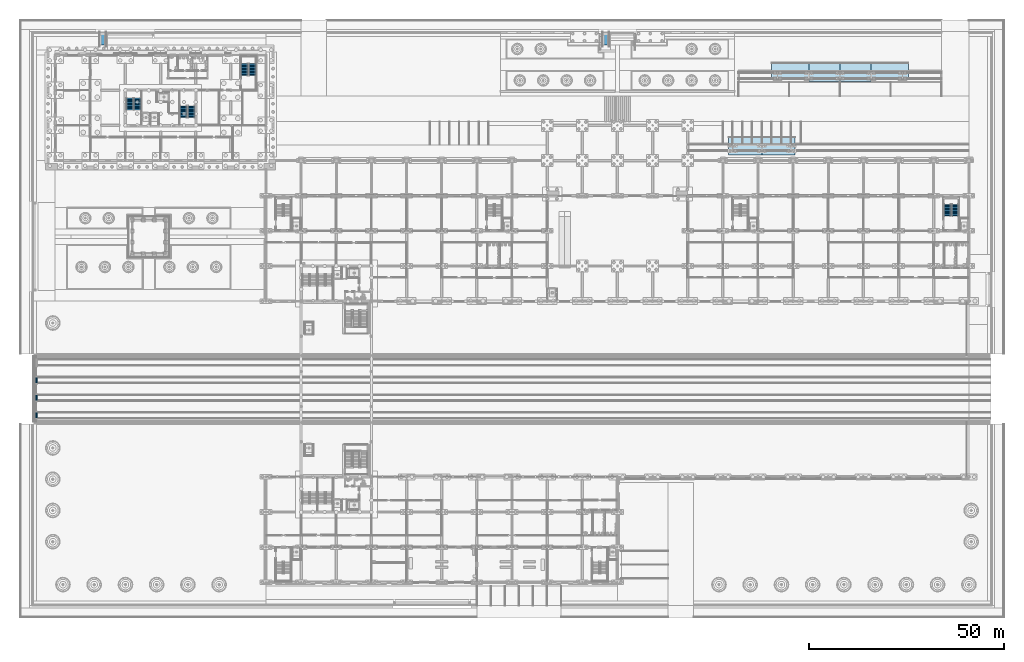
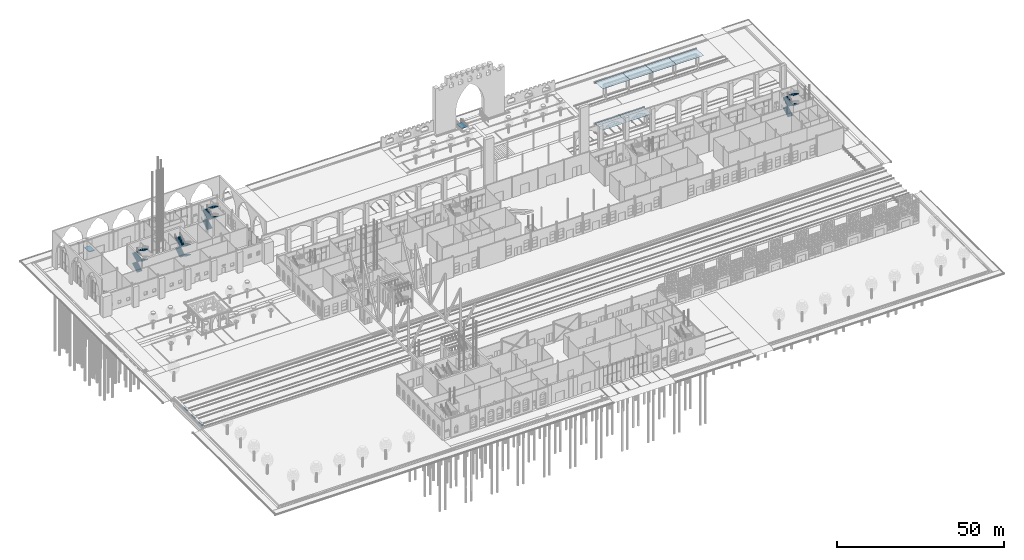
# One storey, part 141 of 250: 16 stair flights, 6 roofs, 3 discrete accessories, 2 ramp flights, 4 elements without a shape of their own.
"""IFC4 building model written with IfcOpenShell, lengths in metres."""

from ifc_helpers import new_model, si_unit, direction, frame, origin, origin_2d, place, context, subcontext, project, spatial, polyline, rectangle, outline, extrude, material, layer, layer_set, type_object, element, aggregate, save


model = new_model("IFC4")

# Units and contexts
model_context = context("Model", 3, precision=1e-05, world=origin(), true_north=direction((0.0, 1.0)))
body_context = subcontext(model_context, "Body", "Model", "MODEL_VIEW")
ifc_project = project(units=[si_unit("LENGTHUNIT", "METRE"), si_unit("AREAUNIT", "SQUARE_METRE"), si_unit("VOLUMEUNIT", "CUBIC_METRE"), si_unit("PLANEANGLEUNIT", "RADIAN"), si_unit("MASSUNIT", "GRAM", prefix="KILO")], contexts=[model_context])

# Site, building, storey
site_placement = place(None, origin())
site = spatial("IfcSite", under=ifc_project, at=site_placement, CompositionType="ELEMENT")
building_placement = place(site_placement, origin())
building = spatial("IfcBuilding", under=site, at=building_placement, Name="Baradari Gate Terminus", CompositionType="ELEMENT")
storey_placement = place(building_placement, origin())
storey = spatial("IfcBuildingStorey", under=building, at=storey_placement, Name="L00", CompositionType="ELEMENT", Elevation=0.0)

# Stair, stair flights
ifc_material_1 = material(Name="Concrete C32/40", Category="concrete")
stair_type_1 = type_object("IfcStairType", Name="Exit stair ST-H4 riser 170 x 1800", PredefinedType="DOUBLE_RETURN_STAIR", material=ifc_material_1)
stair_1_placement = place(storey_placement, origin())
stair_1 = element("IfcStair", 1, at=stair_1_placement, inside=storey, type_object=stair_type_1, Name="Stair ST-H4 L00 to L01", PredefinedType="DOUBLE_RETURN_STAIR")
ifc_material_2 = material(Name="Concrete C32/40", Category="concrete")
stair_flight_type = type_object("IfcStairFlightType", Name="Stair flight 170/300 x 1800", PredefinedType="STRAIGHT", material=ifc_material_2)
stair_flight_1_placement = place(storey_placement, frame((237.5, 102.800048828125, 0.0), z_axis=(0.0, 0.0, 1.0), x_axis=(0.0, 1.0, 0.0)))
stair_flight_1 = element("IfcStairFlight", 2, at=stair_flight_1_placement, type_object=stair_flight_type, Name="ST-H4 flight 1", NumberOfRisers=11, NumberOfTreads=10, PredefinedType="STRAIGHT", RiserHeight=0.170455, TreadLength=0.3, context=body_context, shape_type="SweptSolid", body=[
    extrude(outline(polyline([(0.0, 0.0), (0.0, 0.17041015625), (0.300048828125, 0.17041015625), (0.300048828125, 0.3408203125), (0.60009765625, 0.3408203125), (0.60009765625, 0.511474609375), (0.89990234375, 0.511474609375), (0.89990234375, 0.681884765625), (1.199951171875, 0.681884765625), (1.199951171875, 0.852294921875), (1.5, 0.852294921875), (1.5, 1.022705078125), (1.800048828125, 1.022705078125), (1.800048828125, 1.193115234375), (2.10009765625, 1.193115234375), (2.10009765625, 1.363525390625), (2.39990234375, 1.363525390625), (2.39990234375, 1.5341796875), (2.699951171875, 1.5341796875), (2.699951171875, 1.70458984375), (3.0, 1.70458984375), (3.0, 1.875), (3.0, 1.5322265625), (0.303466796875, 0.0), (0.0, 0.0)])), frame((0.0, 0.89990234375, 0.0), z_axis=(0.0, -1.0, 0.0), x_axis=(1.0, 0.0, 0.0)), (0.0, 0.0, 1.0), 1.800048828125),
])
stair_flight_2_placement = place(storey_placement, frame((239.5, 105.800048828125, 1.875), z_axis=(0.0, 0.0, 1.0), x_axis=(0.0, -1.0, 0.0)))
stair_flight_2 = element("IfcStairFlight", 3, at=stair_flight_2_placement, type_object=stair_flight_type, Name="ST-H4 flight 2", NumberOfRisers=11, NumberOfTreads=10, PredefinedType="STRAIGHT", RiserHeight=0.170455, TreadLength=0.3, context=body_context, shape_type="SweptSolid", body=[
    extrude(outline(polyline([(0.0, 0.0), (0.0, 0.17041015625), (0.300048828125, 0.17041015625), (0.300048828125, 0.3408203125), (0.60009765625, 0.3408203125), (0.60009765625, 0.511474609375), (0.89990234375, 0.511474609375), (0.89990234375, 0.681884765625), (1.199951171875, 0.681884765625), (1.199951171875, 0.852294921875), (1.5, 0.852294921875), (1.5, 1.022705078125), (1.800048828125, 1.022705078125), (1.800048828125, 1.193115234375), (2.10009765625, 1.193115234375), (2.10009765625, 1.363525390625), (2.39990234375, 1.363525390625), (2.39990234375, 1.5341796875), (2.699951171875, 1.5341796875), (2.699951171875, 1.70458984375), (3.0, 1.70458984375), (3.0, 1.875), (3.0, 1.5322265625), (0.303466796875, 0.0), (0.0, 0.0)])), frame((0.0, 0.89990234375, 0.0), z_axis=(0.0, -1.0, 0.0), x_axis=(1.0, 0.0, 0.0)), (0.0, 0.0, 1.0), 1.800048828125),
])
stair_flight_3_placement = place(storey_placement, frame((237.5, 102.800048828125, 3.75), z_axis=(0.0, 0.0, 1.0), x_axis=(0.0, 1.0, 0.0)))
stair_flight_3 = element("IfcStairFlight", 4, at=stair_flight_3_placement, type_object=stair_flight_type, Name="ST-H4 flight 3", NumberOfRisers=11, NumberOfTreads=10, PredefinedType="STRAIGHT", RiserHeight=0.170455, TreadLength=0.3, context=body_context, shape_type="SweptSolid", body=[
    extrude(outline(polyline([(0.0, 0.0), (0.0, 0.17041015625), (0.300048828125, 0.17041015625), (0.300048828125, 0.3408203125), (0.60009765625, 0.3408203125), (0.60009765625, 0.511474609375), (0.89990234375, 0.511474609375), (0.89990234375, 0.681884765625), (1.199951171875, 0.681884765625), (1.199951171875, 0.852294921875), (1.5, 0.852294921875), (1.5, 1.022705078125), (1.800048828125, 1.022705078125), (1.800048828125, 1.193115234375), (2.10009765625, 1.193115234375), (2.10009765625, 1.363525390625), (2.39990234375, 1.363525390625), (2.39990234375, 1.5341796875), (2.699951171875, 1.5341796875), (2.699951171875, 1.70458984375), (3.0, 1.70458984375), (3.0, 1.875), (3.0, 1.5322265625), (0.303466796875, 0.0), (0.0, 0.0)])), frame((0.0, 0.89990234375, 0.0), z_axis=(0.0, -1.0, 0.0), x_axis=(1.0, 0.0, 0.0)), (0.0, 0.0, 1.0), 1.800048828125),
])
stair_flight_4_placement = place(storey_placement, frame((239.5, 105.800048828125, 5.625), z_axis=(0.0, 0.0, 1.0), x_axis=(0.0, -1.0, 0.0)))
stair_flight_4 = element("IfcStairFlight", 5, at=stair_flight_4_placement, type_object=stair_flight_type, Name="ST-H4 flight 4", NumberOfRisers=11, NumberOfTreads=10, PredefinedType="STRAIGHT", RiserHeight=0.170455, TreadLength=0.3, context=body_context, shape_type="SweptSolid", body=[
    extrude(outline(polyline([(0.0, 0.0), (0.0, 0.17041015625), (0.300048828125, 0.17041015625), (0.300048828125, 0.3408203125), (0.60009765625, 0.3408203125), (0.60009765625, 0.511474609375), (0.89990234375, 0.511474609375), (0.89990234375, 0.681884765625), (1.199951171875, 0.681884765625), (1.199951171875, 0.852294921875), (1.5, 0.852294921875), (1.5, 1.022705078125), (1.800048828125, 1.022705078125), (1.800048828125, 1.193115234375), (2.10009765625, 1.193115234375), (2.10009765625, 1.363525390625), (2.39990234375, 1.363525390625), (2.39990234375, 1.5341796875), (2.699951171875, 1.5341796875), (2.699951171875, 1.70458984375), (3.0, 1.70458984375), (3.0, 1.875), (3.0, 1.5322265625), (0.303466796875, 0.0), (0.0, 0.0)])), frame((0.0, 0.89990234375, 0.0), z_axis=(0.0, -1.0, 0.0), x_axis=(1.0, 0.0, 0.0)), (0.0, 0.0, 1.0), 1.800048828125),
])
aggregate(stair_1, [stair_flight_1, stair_flight_2, stair_flight_3, stair_flight_4])

ifc_material_3 = material(Name="Concrete C32/40", Category="concrete")
stair_type_2 = type_object("IfcStairType", Name="Exit stair ST-T1 riser 170 x 1800", PredefinedType="DOUBLE_RETURN_STAIR", material=ifc_material_3)
stair_2_placement = place(storey_placement, origin())
stair_2 = element("IfcStair", 6, at=stair_2_placement, inside=storey, type_object=stair_type_2, Name="Stair ST-T1 L00 to L01", PredefinedType="DOUBLE_RETURN_STAIR")
stair_flight_5_placement = place(storey_placement, frame((28.125, 129.97509765625, 0.0), z_axis=(0.0, 0.0, 1.0), x_axis=(0.0, 1.0, 0.0)))
stair_flight_5 = element("IfcStairFlight", 7, at=stair_flight_5_placement, type_object=stair_flight_type, Name="ST-T1 flight 1", NumberOfRisers=11, NumberOfTreads=10, PredefinedType="STRAIGHT", RiserHeight=0.170455, TreadLength=0.3, context=body_context, shape_type="SweptSolid", body=[
    extrude(outline(polyline([(0.0, 0.0), (0.0, 0.17041015625), (0.300048828125, 0.17041015625), (0.300048828125, 0.3408203125), (0.60009765625, 0.3408203125), (0.60009765625, 0.511474609375), (0.89990234375, 0.511474609375), (0.89990234375, 0.681884765625), (1.199951171875, 0.681884765625), (1.199951171875, 0.852294921875), (1.5, 0.852294921875), (1.5, 1.022705078125), (1.800048828125, 1.022705078125), (1.800048828125, 1.193115234375), (2.10009765625, 1.193115234375), (2.10009765625, 1.363525390625), (2.39990234375, 1.363525390625), (2.39990234375, 1.5341796875), (2.699951171875, 1.5341796875), (2.699951171875, 1.70458984375), (3.0, 1.70458984375), (3.0, 1.875), (3.0, 1.5322265625), (0.303466796875, 0.0), (0.0, 0.0)])), frame((0.0, 0.89990234375, 0.0), z_axis=(0.0, -1.0, 0.0), x_axis=(1.0, 0.0, 0.0)), (0.0, 0.0, 1.0), 1.800048828125),
])
stair_flight_6_placement = place(storey_placement, frame((30.125, 132.97509765625, 1.875), z_axis=(0.0, 0.0, 1.0), x_axis=(0.0, -1.0, 0.0)))
stair_flight_6 = element("IfcStairFlight", 8, at=stair_flight_6_placement, type_object=stair_flight_type, Name="ST-T1 flight 2", NumberOfRisers=11, NumberOfTreads=10, PredefinedType="STRAIGHT", RiserHeight=0.170455, TreadLength=0.3, context=body_context, shape_type="SweptSolid", body=[
    extrude(outline(polyline([(0.0, 0.0), (0.0, 0.17041015625), (0.300048828125, 0.17041015625), (0.300048828125, 0.3408203125), (0.60009765625, 0.3408203125), (0.60009765625, 0.511474609375), (0.89990234375, 0.511474609375), (0.89990234375, 0.681884765625), (1.199951171875, 0.681884765625), (1.199951171875, 0.852294921875), (1.5, 0.852294921875), (1.5, 1.022705078125), (1.800048828125, 1.022705078125), (1.800048828125, 1.193115234375), (2.10009765625, 1.193115234375), (2.10009765625, 1.363525390625), (2.39990234375, 1.363525390625), (2.39990234375, 1.5341796875), (2.699951171875, 1.5341796875), (2.699951171875, 1.70458984375), (3.0, 1.70458984375), (3.0, 1.875), (3.0, 1.5322265625), (0.303466796875, 0.0), (0.0, 0.0)])), frame((0.0, 0.89990234375, 0.0), z_axis=(0.0, -1.0, 0.0), x_axis=(1.0, 0.0, 0.0)), (0.0, 0.0, 1.0), 1.800048828125),
])
stair_flight_7_placement = place(storey_placement, frame((28.125, 129.97509765625, 3.75), z_axis=(0.0, 0.0, 1.0), x_axis=(0.0, 1.0, 0.0)))
stair_flight_7 = element("IfcStairFlight", 9, at=stair_flight_7_placement, type_object=stair_flight_type, Name="ST-T1 flight 3", NumberOfRisers=11, NumberOfTreads=10, PredefinedType="STRAIGHT", RiserHeight=0.170455, TreadLength=0.3, context=body_context, shape_type="SweptSolid", body=[
    extrude(outline(polyline([(0.0, 0.0), (0.0, 0.17041015625), (0.300048828125, 0.17041015625), (0.300048828125, 0.3408203125), (0.60009765625, 0.3408203125), (0.60009765625, 0.511474609375), (0.89990234375, 0.511474609375), (0.89990234375, 0.681884765625), (1.199951171875, 0.681884765625), (1.199951171875, 0.852294921875), (1.5, 0.852294921875), (1.5, 1.022705078125), (1.800048828125, 1.022705078125), (1.800048828125, 1.193115234375), (2.10009765625, 1.193115234375), (2.10009765625, 1.363525390625), (2.39990234375, 1.363525390625), (2.39990234375, 1.5341796875), (2.699951171875, 1.5341796875), (2.699951171875, 1.70458984375), (3.0, 1.70458984375), (3.0, 1.875), (3.0, 1.5322265625), (0.303466796875, 0.0), (0.0, 0.0)])), frame((0.0, 0.89990234375, 0.0), z_axis=(0.0, -1.0, 0.0), x_axis=(1.0, 0.0, 0.0)), (0.0, 0.0, 1.0), 1.800048828125),
])
stair_flight_8_placement = place(storey_placement, frame((30.125, 132.97509765625, 5.625), z_axis=(0.0, 0.0, 1.0), x_axis=(0.0, -1.0, 0.0)))
stair_flight_8 = element("IfcStairFlight", 10, at=stair_flight_8_placement, type_object=stair_flight_type, Name="ST-T1 flight 4", NumberOfRisers=11, NumberOfTreads=10, PredefinedType="STRAIGHT", RiserHeight=0.170455, TreadLength=0.3, context=body_context, shape_type="SweptSolid", body=[
    extrude(outline(polyline([(0.0, 0.0), (0.0, 0.17041015625), (0.300048828125, 0.17041015625), (0.300048828125, 0.3408203125), (0.60009765625, 0.3408203125), (0.60009765625, 0.511474609375), (0.89990234375, 0.511474609375), (0.89990234375, 0.681884765625), (1.199951171875, 0.681884765625), (1.199951171875, 0.852294921875), (1.5, 0.852294921875), (1.5, 1.022705078125), (1.800048828125, 1.022705078125), (1.800048828125, 1.193115234375), (2.10009765625, 1.193115234375), (2.10009765625, 1.363525390625), (2.39990234375, 1.363525390625), (2.39990234375, 1.5341796875), (2.699951171875, 1.5341796875), (2.699951171875, 1.70458984375), (3.0, 1.70458984375), (3.0, 1.875), (3.0, 1.5322265625), (0.303466796875, 0.0), (0.0, 0.0)])), frame((0.0, 0.89990234375, 0.0), z_axis=(0.0, -1.0, 0.0), x_axis=(1.0, 0.0, 0.0)), (0.0, 0.0, 1.0), 1.800048828125),
])
aggregate(stair_2, [stair_flight_5, stair_flight_6, stair_flight_7, stair_flight_8])

ifc_material_4 = material(Name="Concrete C32/40", Category="concrete")
stair_type_3 = type_object("IfcStairType", Name="Exit stair ST-T2 riser 170 x 1800", PredefinedType="DOUBLE_RETURN_STAIR", material=ifc_material_4)
stair_3_placement = place(storey_placement, origin())
stair_3 = element("IfcStair", 11, at=stair_3_placement, inside=storey, type_object=stair_type_3, Name="Stair ST-T2 L00 to L01", PredefinedType="DOUBLE_RETURN_STAIR")
stair_flight_9_placement = place(storey_placement, frame((43.875, 131.02490234375, 0.0), z_axis=(0.0, 0.0, 1.0), x_axis=(0.0, -1.0, 0.0)))
stair_flight_9 = element("IfcStairFlight", 12, at=stair_flight_9_placement, type_object=stair_flight_type, Name="ST-T2 flight 1", NumberOfRisers=11, NumberOfTreads=10, PredefinedType="STRAIGHT", RiserHeight=0.170455, TreadLength=0.3, context=body_context, shape_type="SweptSolid", body=[
    extrude(outline(polyline([(0.0, 0.0), (0.0, 0.17041015625), (0.300048828125, 0.17041015625), (0.300048828125, 0.3408203125), (0.60009765625, 0.3408203125), (0.60009765625, 0.511474609375), (0.89990234375, 0.511474609375), (0.89990234375, 0.681884765625), (1.199951171875, 0.681884765625), (1.199951171875, 0.852294921875), (1.5, 0.852294921875), (1.5, 1.022705078125), (1.800048828125, 1.022705078125), (1.800048828125, 1.193115234375), (2.10009765625, 1.193115234375), (2.10009765625, 1.363525390625), (2.39990234375, 1.363525390625), (2.39990234375, 1.5341796875), (2.699951171875, 1.5341796875), (2.699951171875, 1.70458984375), (3.0, 1.70458984375), (3.0, 1.875), (3.0, 1.5322265625), (0.303466796875, 0.0), (0.0, 0.0)])), frame((0.0, 0.89990234375, 0.0), z_axis=(0.0, -1.0, 0.0), x_axis=(1.0, 0.0, 0.0)), (0.0, 0.0, 1.0), 1.800048828125),
])
stair_flight_10_placement = place(storey_placement, frame((41.875, 128.02490234375, 1.875), z_axis=(0.0, 0.0, 1.0), x_axis=(0.0, 1.0, 0.0)))
stair_flight_10 = element("IfcStairFlight", 13, at=stair_flight_10_placement, type_object=stair_flight_type, Name="ST-T2 flight 2", NumberOfRisers=11, NumberOfTreads=10, PredefinedType="STRAIGHT", RiserHeight=0.170455, TreadLength=0.3, context=body_context, shape_type="SweptSolid", body=[
    extrude(outline(polyline([(0.0, 0.0), (0.0, 0.17041015625), (0.300048828125, 0.17041015625), (0.300048828125, 0.3408203125), (0.60009765625, 0.3408203125), (0.60009765625, 0.511474609375), (0.89990234375, 0.511474609375), (0.89990234375, 0.681884765625), (1.199951171875, 0.681884765625), (1.199951171875, 0.852294921875), (1.5, 0.852294921875), (1.5, 1.022705078125), (1.800048828125, 1.022705078125), (1.800048828125, 1.193115234375), (2.10009765625, 1.193115234375), (2.10009765625, 1.363525390625), (2.39990234375, 1.363525390625), (2.39990234375, 1.5341796875), (2.699951171875, 1.5341796875), (2.699951171875, 1.70458984375), (3.0, 1.70458984375), (3.0, 1.875), (3.0, 1.5322265625), (0.303466796875, 0.0), (0.0, 0.0)])), frame((0.0, 0.89990234375, 0.0), z_axis=(0.0, -1.0, 0.0), x_axis=(1.0, 0.0, 0.0)), (0.0, 0.0, 1.0), 1.800048828125),
])
stair_flight_11_placement = place(storey_placement, frame((43.875, 131.02490234375, 3.75), z_axis=(0.0, 0.0, 1.0), x_axis=(0.0, -1.0, 0.0)))
stair_flight_11 = element("IfcStairFlight", 14, at=stair_flight_11_placement, type_object=stair_flight_type, Name="ST-T2 flight 3", NumberOfRisers=11, NumberOfTreads=10, PredefinedType="STRAIGHT", RiserHeight=0.170455, TreadLength=0.3, context=body_context, shape_type="SweptSolid", body=[
    extrude(outline(polyline([(0.0, 0.0), (0.0, 0.17041015625), (0.300048828125, 0.17041015625), (0.300048828125, 0.3408203125), (0.60009765625, 0.3408203125), (0.60009765625, 0.511474609375), (0.89990234375, 0.511474609375), (0.89990234375, 0.681884765625), (1.199951171875, 0.681884765625), (1.199951171875, 0.852294921875), (1.5, 0.852294921875), (1.5, 1.022705078125), (1.800048828125, 1.022705078125), (1.800048828125, 1.193115234375), (2.10009765625, 1.193115234375), (2.10009765625, 1.363525390625), (2.39990234375, 1.363525390625), (2.39990234375, 1.5341796875), (2.699951171875, 1.5341796875), (2.699951171875, 1.70458984375), (3.0, 1.70458984375), (3.0, 1.875), (3.0, 1.5322265625), (0.303466796875, 0.0), (0.0, 0.0)])), frame((0.0, 0.89990234375, 0.0), z_axis=(0.0, -1.0, 0.0), x_axis=(1.0, 0.0, 0.0)), (0.0, 0.0, 1.0), 1.800048828125),
])
stair_flight_12_placement = place(storey_placement, frame((41.875, 128.02490234375, 5.625), z_axis=(0.0, 0.0, 1.0), x_axis=(0.0, 1.0, 0.0)))
stair_flight_12 = element("IfcStairFlight", 15, at=stair_flight_12_placement, type_object=stair_flight_type, Name="ST-T2 flight 4", NumberOfRisers=11, NumberOfTreads=10, PredefinedType="STRAIGHT", RiserHeight=0.170455, TreadLength=0.3, context=body_context, shape_type="SweptSolid", body=[
    extrude(outline(polyline([(0.0, 0.0), (0.0, 0.17041015625), (0.300048828125, 0.17041015625), (0.300048828125, 0.3408203125), (0.60009765625, 0.3408203125), (0.60009765625, 0.511474609375), (0.89990234375, 0.511474609375), (0.89990234375, 0.681884765625), (1.199951171875, 0.681884765625), (1.199951171875, 0.852294921875), (1.5, 0.852294921875), (1.5, 1.022705078125), (1.800048828125, 1.022705078125), (1.800048828125, 1.193115234375), (2.10009765625, 1.193115234375), (2.10009765625, 1.363525390625), (2.39990234375, 1.363525390625), (2.39990234375, 1.5341796875), (2.699951171875, 1.5341796875), (2.699951171875, 1.70458984375), (3.0, 1.70458984375), (3.0, 1.875), (3.0, 1.5322265625), (0.303466796875, 0.0), (0.0, 0.0)])), frame((0.0, 0.89990234375, 0.0), z_axis=(0.0, -1.0, 0.0), x_axis=(1.0, 0.0, 0.0)), (0.0, 0.0, 1.0), 1.800048828125),
])
aggregate(stair_3, [stair_flight_9, stair_flight_10, stair_flight_11, stair_flight_12])

ifc_material_5 = material(Name="Concrete C32/40", Category="concrete")
stair_type_4 = type_object("IfcStairType", Name="Exit stair ST-T3 riser 170 x 1800", PredefinedType="DOUBLE_RETURN_STAIR", material=ifc_material_5)
stair_4_placement = place(storey_placement, origin())
stair_4 = element("IfcStair", 16, at=stair_4_placement, inside=storey, type_object=stair_type_4, Name="Stair ST-T3 L00 to L01", PredefinedType="DOUBLE_RETURN_STAIR")
stair_flight_13_placement = place(storey_placement, frame((57.5, 138.800048828125, 0.0), z_axis=(0.0, 0.0, 1.0), x_axis=(0.0, 1.0, 0.0)))
stair_flight_13 = element("IfcStairFlight", 17, at=stair_flight_13_placement, type_object=stair_flight_type, Name="ST-T3 flight 1", NumberOfRisers=11, NumberOfTreads=10, PredefinedType="STRAIGHT", RiserHeight=0.170455, TreadLength=0.3, context=body_context, shape_type="SweptSolid", body=[
    extrude(outline(polyline([(0.0, 0.0), (0.0, 0.17041015625), (0.300048828125, 0.17041015625), (0.300048828125, 0.3408203125), (0.60009765625, 0.3408203125), (0.60009765625, 0.511474609375), (0.89990234375, 0.511474609375), (0.89990234375, 0.681884765625), (1.199951171875, 0.681884765625), (1.199951171875, 0.852294921875), (1.5, 0.852294921875), (1.5, 1.022705078125), (1.800048828125, 1.022705078125), (1.800048828125, 1.193115234375), (2.10009765625, 1.193115234375), (2.10009765625, 1.363525390625), (2.39990234375, 1.363525390625), (2.39990234375, 1.5341796875), (2.699951171875, 1.5341796875), (2.699951171875, 1.70458984375), (3.0, 1.70458984375), (3.0, 1.875), (3.0, 1.5322265625), (0.303466796875, 0.0), (0.0, 0.0)])), frame((0.0, 0.89990234375, 0.0), z_axis=(0.0, -1.0, 0.0), x_axis=(1.0, 0.0, 0.0)), (0.0, 0.0, 1.0), 1.800048828125),
])
stair_flight_14_placement = place(storey_placement, frame((59.5, 141.800048828125, 1.875), z_axis=(0.0, 0.0, 1.0), x_axis=(0.0, -1.0, 0.0)))
stair_flight_14 = element("IfcStairFlight", 18, at=stair_flight_14_placement, type_object=stair_flight_type, Name="ST-T3 flight 2", NumberOfRisers=11, NumberOfTreads=10, PredefinedType="STRAIGHT", RiserHeight=0.170455, TreadLength=0.3, context=body_context, shape_type="SweptSolid", body=[
    extrude(outline(polyline([(0.0, 0.0), (0.0, 0.17041015625), (0.300048828125, 0.17041015625), (0.300048828125, 0.3408203125), (0.60009765625, 0.3408203125), (0.60009765625, 0.511474609375), (0.89990234375, 0.511474609375), (0.89990234375, 0.681884765625), (1.199951171875, 0.681884765625), (1.199951171875, 0.852294921875), (1.5, 0.852294921875), (1.5, 1.022705078125), (1.800048828125, 1.022705078125), (1.800048828125, 1.193115234375), (2.10009765625, 1.193115234375), (2.10009765625, 1.363525390625), (2.39990234375, 1.363525390625), (2.39990234375, 1.5341796875), (2.699951171875, 1.5341796875), (2.699951171875, 1.70458984375), (3.0, 1.70458984375), (3.0, 1.875), (3.0, 1.5322265625), (0.303466796875, 0.0), (0.0, 0.0)])), frame((0.0, 0.89990234375, 0.0), z_axis=(0.0, -1.0, 0.0), x_axis=(1.0, 0.0, 0.0)), (0.0, 0.0, 1.0), 1.800048828125),
])
stair_flight_15_placement = place(storey_placement, frame((57.5, 138.800048828125, 3.75), z_axis=(0.0, 0.0, 1.0), x_axis=(0.0, 1.0, 0.0)))
stair_flight_15 = element("IfcStairFlight", 19, at=stair_flight_15_placement, type_object=stair_flight_type, Name="ST-T3 flight 3", NumberOfRisers=11, NumberOfTreads=10, PredefinedType="STRAIGHT", RiserHeight=0.170455, TreadLength=0.3, context=body_context, shape_type="SweptSolid", body=[
    extrude(outline(polyline([(0.0, 0.0), (0.0, 0.17041015625), (0.300048828125, 0.17041015625), (0.300048828125, 0.3408203125), (0.60009765625, 0.3408203125), (0.60009765625, 0.511474609375), (0.89990234375, 0.511474609375), (0.89990234375, 0.681884765625), (1.199951171875, 0.681884765625), (1.199951171875, 0.852294921875), (1.5, 0.852294921875), (1.5, 1.022705078125), (1.800048828125, 1.022705078125), (1.800048828125, 1.193115234375), (2.10009765625, 1.193115234375), (2.10009765625, 1.363525390625), (2.39990234375, 1.363525390625), (2.39990234375, 1.5341796875), (2.699951171875, 1.5341796875), (2.699951171875, 1.70458984375), (3.0, 1.70458984375), (3.0, 1.875), (3.0, 1.5322265625), (0.303466796875, 0.0), (0.0, 0.0)])), frame((0.0, 0.89990234375, 0.0), z_axis=(0.0, -1.0, 0.0), x_axis=(1.0, 0.0, 0.0)), (0.0, 0.0, 1.0), 1.800048828125),
])
stair_flight_16_placement = place(storey_placement, frame((59.5, 141.800048828125, 5.625), z_axis=(0.0, 0.0, 1.0), x_axis=(0.0, -1.0, 0.0)))
stair_flight_16 = element("IfcStairFlight", 20, at=stair_flight_16_placement, type_object=stair_flight_type, Name="ST-T3 flight 4", NumberOfRisers=11, NumberOfTreads=10, PredefinedType="STRAIGHT", RiserHeight=0.170455, TreadLength=0.3, context=body_context, shape_type="SweptSolid", body=[
    extrude(outline(polyline([(0.0, 0.0), (0.0, 0.17041015625), (0.300048828125, 0.17041015625), (0.300048828125, 0.3408203125), (0.60009765625, 0.3408203125), (0.60009765625, 0.511474609375), (0.89990234375, 0.511474609375), (0.89990234375, 0.681884765625), (1.199951171875, 0.681884765625), (1.199951171875, 0.852294921875), (1.5, 0.852294921875), (1.5, 1.022705078125), (1.800048828125, 1.022705078125), (1.800048828125, 1.193115234375), (2.10009765625, 1.193115234375), (2.10009765625, 1.363525390625), (2.39990234375, 1.363525390625), (2.39990234375, 1.5341796875), (2.699951171875, 1.5341796875), (2.699951171875, 1.70458984375), (3.0, 1.70458984375), (3.0, 1.875), (3.0, 1.5322265625), (0.303466796875, 0.0), (0.0, 0.0)])), frame((0.0, 0.89990234375, 0.0), z_axis=(0.0, -1.0, 0.0), x_axis=(1.0, 0.0, 0.0)), (0.0, 0.0, 1.0), 1.800048828125),
])
aggregate(stair_4, [stair_flight_13, stair_flight_14, stair_flight_15, stair_flight_16])

# Ramp flights
ifc_material_6 = material(Name="Concrete C32/40", Category="concrete")
ifc_layer_1 = layer(ifc_material_6, 0.199951171875)
ifc_layer_set_1 = layer_set([ifc_layer_1], Name="Concrete C32/40")
ramp_flight_type = type_object("IfcRampFlightType", Name="Ramp flight RMP-1 200 x 1800", PredefinedType="STRAIGHT", material=ifc_layer_set_1)
ramp_flight_1_placement = place(storey_placement, frame((149.10009765625, 149.699951171875, -0.260009765625), z_axis=(0.0, 0.083051933621, 0.99654522041), x_axis=(1.0, 0.0, 0.0)))
element("IfcRampFlight", 21, at=ramp_flight_1_placement, inside=storey, type_object=ramp_flight_type, Name="Ramp Garden gate", PredefinedType="STRAIGHT", context=body_context, shape_type="SweptSolid", body=[
    extrude(outline(polyline([(0.0, 0.0), (0.89990234375, 0.0), (1.7998046875, 0.0), (1.7998046875, -1.5654762302341905), (1.7998046875, -3.1306888869444474), (0.89990234375, -3.1306888869444474), (0.0, -3.1306888869444474), (0.0, -1.5654762302341905), (0.0, 0.0)])), origin(), (0.0, 0.0, -1.0), 0.199951171875),
])
ramp_flight_2_placement = place(storey_placement, frame((20.300048828125, 149.699951171875, -0.260009765625), z_axis=(0.0, 0.083051933621, 0.99654522041), x_axis=(1.0, 0.0, 0.0)))
element("IfcRampFlight", 22, at=ramp_flight_2_placement, inside=storey, type_object=ramp_flight_type, Name="Ramp North-west gate", PredefinedType="STRAIGHT", context=body_context, shape_type="SweptSolid", body=[
    extrude(outline(polyline([(0.0, 0.0), (0.89990234375, 0.0), (1.800048828125, 0.0), (1.800048828125, -1.5654762302341905), (1.800048828125, -3.130688886944448), (0.89990234375, -3.130688886944448), (0.0, -3.130688886944448), (0.0, -1.5654762302341905), (0.0, 0.0)])), origin(), (0.0, 0.0, -1.0), 0.199951171875),
])

# Roofs
ifc_material_7 = material(Name="Steel S355", Category="steel")
ifc_layer_2 = layer(ifc_material_7, 0.0400390625)
ifc_layer_set_2 = layer_set([ifc_layer_2], Name="Steel S355")
roof_type_1 = type_object("IfcRoofType", Name="Bus shelter roof plate", PredefinedType="SHED_ROOF", material=ifc_layer_set_2)
roof_1_placement = place(storey_placement, frame((192.5, 137.300048828125, 4.842041015625), z_axis=(0.0, 0.059889190761, 0.998205031459), x_axis=(1.0, 0.0, 0.0)))
element("IfcRoof", 23, at=roof_1_placement, inside=storey, type_object=roof_type_1, Name="Bus shelter roof plate 1", PredefinedType="SHED_ROOF", context=body_context, shape_type="SweptSolid", body=[
    extrude(outline(polyline([(0.0, 0.0), (9.5, 0.0), (9.5, 4.708402606432003), (0.0, 4.708402606432003), (0.0, 0.0)])), origin(), (0.0, 0.0, -1.0), 0.0400390625),
])
for number, where, z_axis, x_axis, name in (
    (24, (202.0, 137.300048828125, 4.842041015625), (0.0, 0.059889190761, 0.998205031459), (1.0, 0.0, 0.0), "Bus shelter roof plate 2"),
    (25, (210.0, 137.300048828125, 4.842041015625), (0.0, 0.059889190761, 0.998205031459), (1.0, 0.0, 0.0), "Bus shelter roof plate 3"),
):
    element("IfcRoof", number, at=place(storey_placement, frame(where, z_axis=z_axis, x_axis=x_axis)), inside=storey, type_object=roof_type_1, Name=name, PredefinedType="SHED_ROOF", context=body_context, shape_type="SweptSolid", body=[
        extrude(outline(polyline([(0.0, 0.0), (8.0, 0.0), (8.0, 4.708402606432003), (0.0, 4.708402606432003), (0.0, 0.0)])), origin(), (0.0, 0.0, -1.0), 0.0400390625),
    ])
roof_2_placement = place(storey_placement, frame((218.0, 137.300048828125, 4.842041015625), z_axis=(0.0, 0.059889190761, 0.998205031459), x_axis=(1.0, 0.0, 0.0)))
element("IfcRoof", 26, at=roof_2_placement, inside=storey, type_object=roof_type_1, Name="Bus shelter roof plate 4", PredefinedType="SHED_ROOF", context=body_context, shape_type="SweptSolid", body=[
    extrude(outline(polyline([(0.0, 0.0), (9.5, 0.0), (9.5, 4.708402606432003), (0.0, 4.708402606432003), (0.0, 0.0)])), origin(), (0.0, 0.0, -1.0), 0.0400390625),
])
ifc_material_8 = material(Name="Steel S355", Category="steel")
ifc_layer_3 = layer(ifc_material_8, 0.0400390625)
ifc_layer_set_3 = layer_set([ifc_layer_3], Name="Steel S355")
roof_type_2 = type_object("IfcRoofType", Name="Taxi shelter roof plate", PredefinedType="SHED_ROOF", material=ifc_layer_set_3)
for number, where, z_axis, x_axis, name in (
    (27, (181.5, 118.39990234375, 5.06591796875), (0.0, 0.059864841101, 0.998206492065), (1.0, 0.0, 0.0), "Taxi shelter roof plate 1"),
    (28, (190.0, 118.39990234375, 5.06591796875), (0.0, 0.059864841101, 0.998206492065), (1.0, 0.0, 0.0), "Taxi shelter roof plate 2"),
):
    element("IfcRoof", number, at=place(storey_placement, frame(where, z_axis=z_axis, x_axis=x_axis)), inside=storey, type_object=roof_type_2, Name=name, PredefinedType="SHED_ROOF", context=body_context, shape_type="SweptSolid", body=[
        extrude(outline(polyline([(0.0, 0.0), (8.5, 0.0), (8.5, 4.608362791485761), (0.0, 4.608362791485761), (0.0, 0.0)])), origin(), (0.0, 0.0, -1.0), 0.0400390625),
    ])

# Discrete accessories
ifc_material_9 = material(Name="Steel S355", Category="steel")
discrete_accessory_type = type_object("IfcDiscreteAccessoryType", Name="Buffer stop beam BF2 400x2100x300", PredefinedType="USERDEFINED", material=ifc_material_9)
for number, where, z_axis, x_axis, name in (
    (29, (4.199951171875, 51.75, 0.078125), (0.0, 0.0, 1.0), (1.0, 0.0, 0.0), "Buffer stop T1W beam"),
    (30, (4.199951171875, 56.25, 0.078125), (0.0, 0.0, 1.0), (1.0, 0.0, 0.0), "Buffer stop T2W beam"),
    (31, (4.199951171875, 60.75, 0.078125), (0.0, 0.0, 1.0), (1.0, 0.0, 0.0), "Buffer stop T3W beam"),
):
    element("IfcDiscreteAccessory", number, at=place(storey_placement, frame(where, z_axis=z_axis, x_axis=x_axis)), inside=storey, type_object=discrete_accessory_type, Name=name, ObjectType="BUFFER STOP", PredefinedType="USERDEFINED", context=body_context, shape_type="SweptSolid", body=[
        extrude(rectangle(XDim=0.39990234375, YDim=2.10009765625, at=origin_2d()), origin(), (0.0, 0.0, 1.0), 0.300048828125),
    ])

save(model, "model.ifc")
